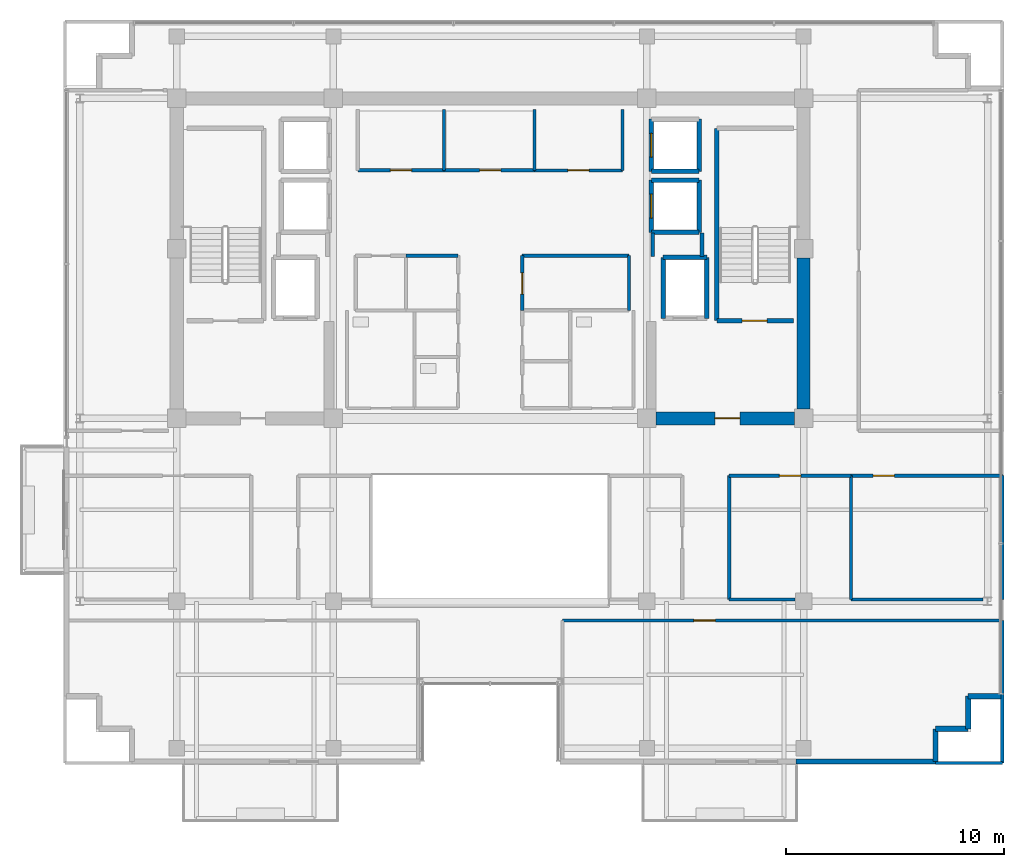
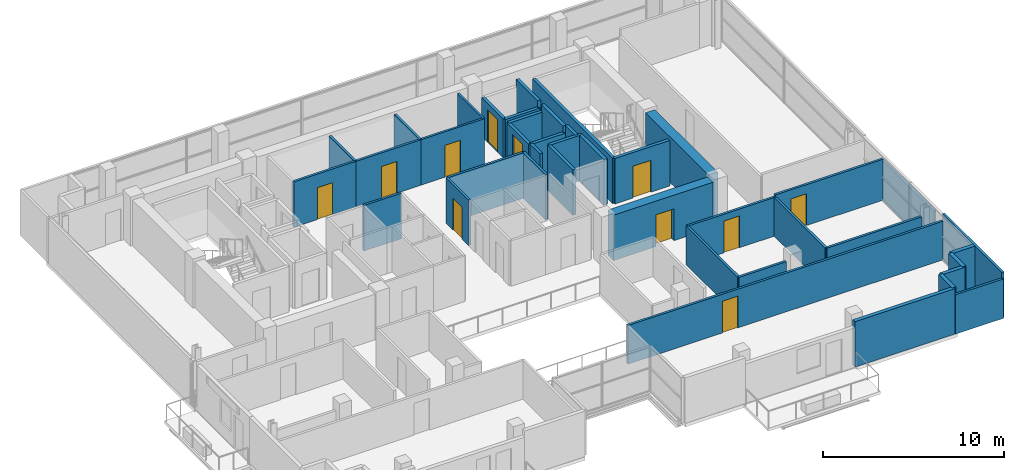
# One storey, part 17 of 21: 41 walls, 11 doors, 11 openings.
"""IFC4 building model written with IfcOpenShell, lengths in metres."""

from ifc_helpers import new_model, si_unit, direction, frame, frame_2d, origin, place, context, subcontext, project, spatial, rectangle, extrude, source, transform, mapped, material, layer, layer_set, type_object, element, fill, save


model = new_model("IFC4")

# Units and contexts
model_context = context("Model", 3, precision=1e-05, world=origin(), true_north=direction((0.0, 1.0)))
body_context = subcontext(model_context, "Body", "Model", "MODEL_VIEW")
ifc_project = project(units=[si_unit("LENGTHUNIT", "METRE"), si_unit("AREAUNIT", "SQUARE_METRE"), si_unit("VOLUMEUNIT", "CUBIC_METRE"), si_unit("PLANEANGLEUNIT", "RADIAN"), si_unit("MASSUNIT", "GRAM", prefix="KILO")], contexts=[model_context])

# Site, building, storey
site_placement = place(None, origin())
site = spatial("IfcSite", under=ifc_project, at=site_placement, CompositionType="ELEMENT")
building_placement = place(site_placement, origin())
building = spatial("IfcBuilding", under=site, at=building_placement, Name="Zarnakvel Exchange Tower", CompositionType="ELEMENT")
storey_placement = place(building_placement, frame((0.0, 0.0, 248.5)))
storey = spatial("IfcBuildingStorey", under=building, at=storey_placement, Name="L70", CompositionType="ELEMENT", Elevation=248.5)

# Wall
ifc_material_1 = material(Name="Concrete C50/60", Category="concrete")
ifc_layer_1 = layer(ifc_material_1, 0.60009765625)
ifc_layer_set_1 = layer_set([ifc_layer_1], Name="Concrete C50/60")
wall_type_1 = type_object("IfcWallType", Name="CW-C5", PredefinedType="SHEAR", material=ifc_layer_set_1)
wall_1_placement = place(storey_placement, frame((14.39990234375, -0.77490234375, 0.0), z_axis=(0.0, 0.0, 1.0), x_axis=(0.0, 1.0, 0.0)))
element("IfcWall", 1, at=wall_1_placement, inside=storey, type_object=wall_type_1, Name="L70 Rear Core Shear Wall E1 (CW-C5)", PredefinedType="SHEAR", context=body_context, shape_type="SweptSolid", body=[
    extrude(rectangle(XDim=6.949951171875, YDim=0.60009765625, at=frame_2d((3.47509765625, 0.0))), origin(), (0.0, 0.0, 1.0), 3.074951171875),
])

# Wall, opening, door
wall_2_placement = place(storey_placement, frame((13.97509765625, -1.199951171875, 0.0), z_axis=(0.0, 0.0, 1.0), x_axis=(-1.0, 0.0, 0.0)))
wall_2 = element("IfcWall", 2, at=wall_2_placement, inside=storey, type_object=wall_type_1, Name="L70 Rear Core Shear Wall SE (CW-C5)", PredefinedType="SHEAR", context=body_context, shape_type="SweptSolid", body=[
    extrude(rectangle(XDim=6.35009765625, YDim=0.60009765625, at=frame_2d((3.175048828125, 0.0))), origin(), (0.0, 0.0, 1.0), 3.074951171875),
])
opening_1_placement = place(wall_2_placement, frame((2.5, 0.0, 0.0)))
opening_1 = element("IfcOpeningElement", 3, at=opening_1_placement, cuts=wall_2, Name="Opening D-L70-04", PredefinedType="OPENING", context=body_context, shape_type="SweptSolid", body=[
    extrude(rectangle(XDim=1.14990234375, YDim=2.14990234375, at=frame_2d((0.574951171875, 1.074951171875))), frame((0.0, 0.31005859375, 0.0), z_axis=(0.0, -1.0, 0.0), x_axis=(1.0, 0.0, 0.0)), (0.0, 0.0, 1.0), 0.6201171875),
])
ifc_material_2 = material(Name="Painted Galvanised Steel S355", Category="steel")
door_type_1 = type_object("IfcDoorType", Name="DT-04", OperationType="NOTDEFINED", PredefinedType="DOOR", material=ifc_material_2)
shared_shape_1 = source(origin(), body_context, "Body", "SweptSolid", [
    extrude(rectangle(XDim=1.14990234375, YDim=2.14990234375, at=frame_2d((0.574951171875, 1.074951171875))), frame((0.0, 0.02490234375, 0.0), z_axis=(0.0, -1.0, 0.0), x_axis=(1.0, 0.0, 0.0)), (0.0, 0.0, 1.0), 0.050048828125),
])
door_1_placement = place(opening_1_placement, origin())
door_1 = element("IfcDoor", 4, at=door_1_placement, inside=storey, type_object=door_type_1, Name="L70 Firefighting Lobby East Door D-L70-04", OperationType="SINGLE_SWING_RIGHT", OverallHeight=2.14990234375, OverallWidth=1.14990234375, PredefinedType="DOOR", context=body_context, shape_type="MappedRepresentation", body=[
    mapped(shared_shape_1, transform((0.0, 0.0, 0.0), x_axis=(1.0, 0.0, 0.0), y_axis=(0.0, 1.0, 0.0), z_axis=(0.0, 0.0, 1.0), scale=1.0)),
])
fill(opening_1, door_1)

# Walls
ifc_material_3 = material(Name="Precast concrete C40/50", Category="concrete")
ifc_layer_2 = layer(ifc_material_3, 0.239990234375)
ifc_layer_set_2 = layer_set([ifc_layer_2], Name="Precast concrete C40/50")
wall_type_2 = type_object("IfcWallType", Name="EW-02", PredefinedType="SOLIDWALL", material=ifc_layer_set_2)
for number, where, z_axis, x_axis, name in (
    (5, (21.9599609375, -13.9599609375, 0.0), (0.0, 0.0, 1.0), (1.0, 0.0, 0.0), "L70 Exterior Precast Spandrel Wall EWC-L70-11 (EW-02)"),
    (6, (21.9599609375, -15.4599609375, 0.0), (0.0, 0.0, 1.0), (0.0, 1.0, 0.0), "L70 Exterior Precast Spandrel Wall EWC-L70-12 (EW-02)"),
    (7, (20.4599609375, -15.4599609375, 0.0), (0.0, 0.0, 1.0), (1.0, 0.0, 0.0), "L70 Exterior Precast Spandrel Wall EWC-L70-13 (EW-02)"),
    (8, (20.4599609375, -16.9599609375, 0.0), (0.0, 0.0, 1.0), (0.0, 1.0, 0.0), "L70 Exterior Precast Spandrel Wall EWC-L70-14 (EW-02)"),
):
    element("IfcWall", number, at=place(storey_placement, frame(where, z_axis=z_axis, x_axis=x_axis)), inside=storey, type_object=wall_type_2, Name=name, PredefinedType="SOLIDWALL", context=body_context, shape_type="SweptSolid", body=[
        extrude(rectangle(XDim=1.5, YDim=0.239990234375, at=frame_2d((0.75, 0.0))), origin(), (0.0, 0.0, 1.0), 3.074951171875),
    ])
wall_3_placement = place(storey_placement, frame((14.050048828125, -16.9599609375, 0.0), z_axis=(0.0, 0.0, 1.0), x_axis=(1.0, 0.0, 0.0)))
element("IfcWall", 9, at=wall_3_placement, inside=storey, type_object=wall_type_2, Name="L70 Exterior Precast Spandrel Wall EWC-L70-15 (EW-02)", PredefinedType="SOLIDWALL", context=body_context, shape_type="SweptSolid", body=[
    extrude(rectangle(XDim=6.409912109375, YDim=0.239990234375, at=frame_2d((3.205078125, 0.0))), origin(), (0.0, 0.0, 1.0), 3.074951171875),
])

# Wall, opening, door
ifc_material_4 = material(Name="Fire-Rated Gypsum Stud Partition", Category="gypsum")
ifc_layer_3 = layer(ifc_material_4, 0.14990234375)
ifc_layer_set_3 = layer_set([ifc_layer_3], Name="Fire-Rated Gypsum Stud Partition")
wall_type_3 = type_object("IfcWallType", Name="PT-01", PredefinedType="PARTITIONING", material=ifc_layer_set_3)
wall_4_placement = place(storey_placement, frame((-2.1201171875, 10.199951171875, 0.0), z_axis=(0.0, 0.0, 1.0), x_axis=(-1.0, 0.0, 0.0)))
wall_4 = element("IfcWall", 10, at=wall_4_placement, inside=storey, type_object=wall_type_3, Name="L70 Partition Wall PWALL-L70-011 (PT-01)", PredefinedType="PARTITIONING", context=body_context, shape_type="SweptSolid", body=[
    extrude(rectangle(XDim=3.9599609375, YDim=0.14990234375, at=frame_2d((1.97998046875, 0.0))), origin(), (0.0, 0.0, 1.0), 3.074951171875),
])
opening_2_placement = place(wall_4_placement, frame((1.489990234375, 0.0, 0.0)))
opening_2 = element("IfcOpeningElement", 11, at=opening_2_placement, cuts=wall_4, Name="Opening D-L70-05", PredefinedType="OPENING", context=body_context, shape_type="SweptSolid", body=[
    extrude(rectangle(XDim=0.97998046875, YDim=2.14990234375, at=frame_2d((0.489990234375, 1.074951171875))), frame((0.0, 0.0849609375, 0.0), z_axis=(0.0, -1.0, 0.0), x_axis=(1.0, 0.0, 0.0)), (0.0, 0.0, 1.0), 0.169921875),
])
ifc_material_5 = material(Name="Timber Acoustic Veneer", Category="wood")
door_type_2 = type_object("IfcDoorType", Name="DT-05", OperationType="NOTDEFINED", PredefinedType="DOOR", material=ifc_material_5)
shared_shape_2 = source(origin(), body_context, "Body", "SweptSolid", [
    extrude(rectangle(XDim=0.97998046875, YDim=2.14990234375, at=frame_2d((0.489990234375, 1.074951171875))), frame((0.0, 0.02490234375, 0.0), z_axis=(0.0, -1.0, 0.0), x_axis=(1.0, 0.0, 0.0)), (0.0, 0.0, 1.0), 0.050048828125),
])
door_2_placement = place(opening_2_placement, origin())
door_2 = element("IfcDoor", 12, at=door_2_placement, inside=storey, type_object=door_type_2, Name="L70 Clearing Records Office Door D-L70-05", OperationType="SINGLE_SWING_LEFT", OverallHeight=2.14990234375, OverallWidth=0.97998046875, PredefinedType="DOOR", context=body_context, shape_type="MappedRepresentation", body=[
    mapped(shared_shape_2, transform((0.0, 0.0, 0.0), x_axis=(1.0, 0.0, 0.0), y_axis=(0.0, 1.0, 0.0), z_axis=(0.0, 0.0, 1.0), scale=1.0)),
])
fill(opening_2, door_2)

# Wall
wall_5_placement = place(storey_placement, frame((-2.1201171875, 13.0, 0.0), z_axis=(0.0, 0.0, 1.0), x_axis=(0.0, -1.0, 0.0)))
element("IfcWall", 13, at=wall_5_placement, inside=storey, type_object=wall_type_3, Name="L70 Partition Wall PWALL-L70-013 (PT-01)", PredefinedType="PARTITIONING", context=body_context, shape_type="SweptSolid", body=[
    extrude(rectangle(XDim=2.800048828125, YDim=0.14990234375, at=frame_2d((1.39990234375, 0.0))), origin(), (0.0, 0.0, 1.0), 3.074951171875),
])

# Wall, opening, door
wall_6_placement = place(storey_placement, frame((2.0400390625, 10.199951171875, 0.0), z_axis=(0.0, 0.0, 1.0), x_axis=(-1.0, 0.0, 0.0)))
wall_6 = element("IfcWall", 14, at=wall_6_placement, inside=storey, type_object=wall_type_3, Name="L70 Partition Wall PWALL-L70-014 (PT-01)", PredefinedType="PARTITIONING", context=body_context, shape_type="SweptSolid", body=[
    extrude(rectangle(XDim=4.16015625, YDim=0.14990234375, at=frame_2d((2.080078125, 0.0))), origin(), (0.0, 0.0, 1.0), 3.074951171875),
])
opening_3_placement = place(wall_6_placement, frame((1.550048828125, 0.0, 0.0)))
opening_3 = element("IfcOpeningElement", 15, at=opening_3_placement, cuts=wall_6, Name="Opening D-L70-06", PredefinedType="OPENING", context=body_context, shape_type="SweptSolid", body=[
    extrude(rectangle(XDim=0.97998046875, YDim=2.14990234375, at=frame_2d((0.489990234375, 1.074951171875))), frame((0.0, 0.0849609375, 0.0), z_axis=(0.0, -1.0, 0.0), x_axis=(1.0, 0.0, 0.0)), (0.0, 0.0, 1.0), 0.169921875),
])
door_3_placement = place(opening_3_placement, origin())
door_3 = element("IfcDoor", 16, at=door_3_placement, inside=storey, type_object=door_type_2, Name="L70 Brokerage Filing Room Door D-L70-06", OperationType="SINGLE_SWING_RIGHT", OverallHeight=2.14990234375, OverallWidth=0.97998046875, PredefinedType="DOOR", context=body_context, shape_type="MappedRepresentation", body=[
    mapped(shared_shape_2, transform((0.0, 0.0, 0.0), x_axis=(1.0, 0.0, 0.0), y_axis=(0.0, 1.0, 0.0), z_axis=(0.0, 0.0, 1.0), scale=1.0)),
])
fill(opening_3, door_3)

# Walls
wall_7_placement = place(storey_placement, frame((2.0400390625, 13.0, 0.0), z_axis=(0.0, 0.0, 1.0), x_axis=(0.0, -1.0, 0.0)))
element("IfcWall", 17, at=wall_7_placement, inside=storey, type_object=wall_type_3, Name="L70 Partition Wall PWALL-L70-015 (PT-01)", PredefinedType="PARTITIONING", context=body_context, shape_type="SweptSolid", body=[
    extrude(rectangle(XDim=2.800048828125, YDim=0.14990234375, at=frame_2d((1.39990234375, 0.0))), origin(), (0.0, 0.0, 1.0), 3.074951171875),
])
wall_8_placement = place(storey_placement, frame((-3.8701171875, 6.280029296875, 0.0), z_axis=(0.0, 0.0, 1.0), x_axis=(1.0, 0.0, 0.0)))
element("IfcWall", 18, at=wall_8_placement, inside=storey, type_object=wall_type_3, Name="L70 Partition Wall PWALL-L70-023 (PT-01)", PredefinedType="PARTITIONING", context=body_context, shape_type="SweptSolid", body=[
    extrude(rectangle(XDim=2.400146484375, YDim=0.14990234375, at=frame_2d((1.2001953125, 0.0))), origin(), (0.0, 0.0, 1.0), 3.074951171875),
])
wall_9_placement = place(storey_placement, frame((1.469970703125, 6.280029296875, 0.0), z_axis=(0.0, 0.0, 1.0), x_axis=(1.0, 0.0, 0.0)))
element("IfcWall", 19, at=wall_9_placement, inside=storey, type_object=wall_type_3, Name="L70 Partition Wall PWALL-L70-026 (PT-01)", PredefinedType="PARTITIONING", context=body_context, shape_type="SweptSolid", body=[
    extrude(rectangle(XDim=4.909912109375, YDim=0.14990234375, at=frame_2d((2.455078125, 0.0))), origin(), (0.0, 0.0, 1.0), 3.074951171875),
])

# Wall, opening, door
wall_10_placement = place(storey_placement, frame((1.469970703125, 3.760009765625, 0.0), z_axis=(0.0, 0.0, 1.0), x_axis=(0.0, 1.0, 0.0)))
wall_10 = element("IfcWall", 20, at=wall_10_placement, inside=storey, type_object=wall_type_3, Name="L70 Partition Wall PWALL-L70-027 (PT-01)", PredefinedType="PARTITIONING", context=body_context, shape_type="SweptSolid", body=[
    extrude(rectangle(XDim=2.52001953125, YDim=0.14990234375, at=frame_2d((1.260009765625, 0.0))), origin(), (0.0, 0.0, 1.0), 3.074951171875),
])
opening_4_placement = place(wall_10_placement, frame((0.75, 0.0, 0.0)))
opening_4 = element("IfcOpeningElement", 21, at=opening_4_placement, cuts=wall_10, Name="Opening D-L70-10", PredefinedType="OPENING", context=body_context, shape_type="SweptSolid", body=[
    extrude(rectangle(XDim=0.97998046875, YDim=2.14990234375, at=frame_2d((0.489990234375, 1.074951171875))), frame((0.0, 0.0849609375, 0.0), z_axis=(0.0, -1.0, 0.0), x_axis=(1.0, 0.0, 0.0)), (0.0, 0.0, 1.0), 0.169921875),
])
door_4_placement = place(opening_4_placement, origin())
door_4 = element("IfcDoor", 22, at=door_4_placement, inside=storey, type_object=door_type_2, Name="L70 Telemetry Server Suite Door D-L70-10", OperationType="SINGLE_SWING_RIGHT", OverallHeight=2.14990234375, OverallWidth=0.97998046875, PredefinedType="DOOR", context=body_context, shape_type="MappedRepresentation", body=[
    mapped(shared_shape_2, transform((0.0, 0.0, 0.0), x_axis=(1.0, 0.0, 0.0), y_axis=(0.0, 1.0, 0.0), z_axis=(0.0, 0.0, 1.0), scale=1.0)),
])
fill(opening_4, door_4)

# Walls
wall_11_placement = place(storey_placement, frame((6.3798828125, 6.280029296875, 0.0), z_axis=(0.0, 0.0, 1.0), x_axis=(0.0, -1.0, 0.0)))
element("IfcWall", 23, at=wall_11_placement, inside=storey, type_object=wall_type_3, Name="L70 Partition Wall PWALL-L70-028 (PT-01)", PredefinedType="PARTITIONING", context=body_context, shape_type="SweptSolid", body=[
    extrude(rectangle(XDim=2.52001953125, YDim=0.14990234375, at=frame_2d((1.260009765625, 0.0))), origin(), (0.0, 0.0, 1.0), 3.074951171875),
])
wall_12_placement = place(storey_placement, frame((14.0048828125, -9.52001953125, 0.0), z_axis=(0.0, 0.0, 1.0), x_axis=(-1.0, 0.0, 0.0)))
element("IfcWall", 24, at=wall_12_placement, inside=storey, type_object=wall_type_3, Name="L70 Partition Wall PWALL-L70-052 (PT-01)", PredefinedType="PARTITIONING", context=body_context, shape_type="SweptSolid", body=[
    extrude(rectangle(XDim=3.02490234375, YDim=0.14990234375, at=frame_2d((1.512451171875, 0.0))), origin(), (0.0, 0.0, 1.0), 2.614990234375),
])

# Wall, opening, door
wall_13_placement = place(storey_placement, frame((10.97998046875, -3.830078125, 0.0), z_axis=(0.0, 0.0, 1.0), x_axis=(1.0, 0.0, 0.0)))
wall_13 = element("IfcWall", 25, at=wall_13_placement, inside=storey, type_object=wall_type_3, Name="L70 Partition Wall PWALL-L70-053 (PT-01)", PredefinedType="PARTITIONING", context=body_context, shape_type="SweptSolid", body=[
    extrude(rectangle(XDim=5.595703125, YDim=0.14990234375, at=frame_2d((2.7978515625, 0.0))), origin(), (0.0, 0.0, 1.0), 2.614990234375),
])
opening_5_placement = place(wall_13_placement, frame((2.30810546875, 0.0, 0.0)))
opening_5 = element("IfcOpeningElement", 26, at=opening_5_placement, cuts=wall_13, Name="Opening D-L70-19", PredefinedType="OPENING", context=body_context, shape_type="SweptSolid", body=[
    extrude(rectangle(XDim=0.97998046875, YDim=2.14990234375, at=frame_2d((0.489990234375, 1.074951171875))), frame((0.0, 0.0849609375, 0.0), z_axis=(0.0, -1.0, 0.0), x_axis=(1.0, 0.0, 0.0)), (0.0, 0.0, 1.0), 0.169921875),
])
door_5_placement = place(opening_5_placement, origin())
door_5 = element("IfcDoor", 27, at=door_5_placement, inside=storey, type_object=door_type_2, Name="L70 Meeting Room Door D-L70-19", OperationType="SINGLE_SWING_LEFT", OverallHeight=2.14990234375, OverallWidth=0.97998046875, PredefinedType="DOOR", context=body_context, shape_type="MappedRepresentation", body=[
    mapped(shared_shape_2, transform((0.0, 0.0, 0.0), x_axis=(1.0, 0.0, 0.0), y_axis=(0.0, 1.0, 0.0), z_axis=(0.0, 0.0, 1.0), scale=1.0)),
])
fill(opening_5, door_5)

# Walls
for number, where, z_axis, x_axis, name in (
    (28, (10.97998046875, -9.52001953125, 0.0), (0.0, 0.0, 1.0), (0.0, 1.0, 0.0), "L70 Partition Wall PWALL-L70-054 (PT-01)"),
    (29, (16.57568359375, -3.830078125, 0.0), (0.0, 0.0, 1.0), (0.0, -1.0, 0.0), "L70 Partition Wall PWALL-L70-055 (PT-01)"),
):
    element("IfcWall", number, at=place(storey_placement, frame(where, z_axis=z_axis, x_axis=x_axis)), inside=storey, type_object=wall_type_3, Name=name, PredefinedType="PARTITIONING", context=body_context, shape_type="SweptSolid", body=[
        extrude(rectangle(XDim=5.68994140625, YDim=0.14990234375, at=frame_2d((2.844970703125, 0.0))), origin(), (0.0, 0.0, 1.0), 2.614990234375),
    ])
wall_14_placement = place(storey_placement, frame((22.642578125, -9.52001953125, 0.0), z_axis=(0.0, 0.0, 1.0), x_axis=(-1.0, 0.0, 0.0)))
element("IfcWall", 30, at=wall_14_placement, inside=storey, type_object=wall_type_3, Name="L70 Partition Wall PWALL-L70-056 (PT-01)", PredefinedType="PARTITIONING", context=body_context, shape_type="SweptSolid", body=[
    extrude(rectangle(XDim=6.06689453125, YDim=0.14990234375, at=frame_2d((3.033447265625, 0.0))), origin(), (0.0, 0.0, 1.0), 2.614990234375),
])

# Wall, opening, door
wall_15_placement = place(storey_placement, frame((16.57568359375, -3.830078125, 0.0), z_axis=(0.0, 0.0, 1.0), x_axis=(1.0, 0.0, 0.0)))
wall_15 = element("IfcWall", 31, at=wall_15_placement, inside=storey, type_object=wall_type_3, Name="L70 Partition Wall PWALL-L70-057 (PT-01)", PredefinedType="PARTITIONING", context=body_context, shape_type="SweptSolid", body=[
    extrude(rectangle(XDim=6.954345703125, YDim=0.14990234375, at=frame_2d((3.47705078125, 0.0))), origin(), (0.0, 0.0, 1.0), 2.764892578125),
])
opening_6_placement = place(wall_15_placement, frame((1.012451171875, 0.0, 0.0)))
opening_6 = element("IfcOpeningElement", 32, at=opening_6_placement, cuts=wall_15, Name="Opening D-L70-20", PredefinedType="OPENING", context=body_context, shape_type="SweptSolid", body=[
    extrude(rectangle(XDim=0.97998046875, YDim=2.14990234375, at=frame_2d((0.489990234375, 1.074951171875))), frame((0.0, 0.0849609375, 0.0), z_axis=(0.0, -1.0, 0.0), x_axis=(1.0, 0.0, 0.0)), (0.0, 0.0, 1.0), 0.169921875),
])
door_6_placement = place(opening_6_placement, origin())
door_6 = element("IfcDoor", 33, at=door_6_placement, inside=storey, type_object=door_type_2, Name="L70 Executive Office Door D-L70-20", OperationType="SINGLE_SWING_RIGHT", OverallHeight=2.14990234375, OverallWidth=0.97998046875, PredefinedType="DOOR", context=body_context, shape_type="MappedRepresentation", body=[
    mapped(shared_shape_2, transform((0.0, 0.0, 0.0), x_axis=(1.0, 0.0, 0.0), y_axis=(0.0, 1.0, 0.0), z_axis=(0.0, 0.0, 1.0), scale=1.0)),
])
fill(opening_6, door_6)

# Walls
wall_16_placement = place(storey_placement, frame((23.530029296875, -3.830078125, 0.0), z_axis=(0.0, 0.0, 1.0), x_axis=(0.0, -1.0, 0.0)))
element("IfcWall", 34, at=wall_16_placement, inside=storey, type_object=wall_type_3, Name="L70 Partition Wall PWALL-L70-058 (PT-01)", PredefinedType="PARTITIONING", context=body_context, shape_type="SweptSolid", body=[
    extrude(rectangle(XDim=5.68994140625, YDim=0.14990234375, at=frame_2d((2.844970703125, 0.0))), origin(), (0.0, 0.0, 1.0), 2.6650390625),
])
wall_17_placement = place(storey_placement, frame((23.530029296875, -17.030029296875, 0.0), z_axis=(0.0, 0.0, 1.0), x_axis=(-1.0, 0.0, 0.0)))
element("IfcWall", 35, at=wall_17_placement, inside=storey, type_object=wall_type_3, Name="L70 Partition Wall PWALL-L70-059 (PT-01)", PredefinedType="PARTITIONING", context=body_context, shape_type="SweptSolid", body=[
    extrude(rectangle(XDim=3.070068359375, YDim=0.14990234375, at=frame_2d((1.53515625, 0.0))), origin(), (0.0, 0.0, 1.0), 2.6650390625),
])

# Wall, opening, door
wall_18_placement = place(storey_placement, frame((3.320068359375, -10.47998046875, 0.0), z_axis=(0.0, 0.0, 1.0), x_axis=(1.0, 0.0, 0.0)))
wall_18 = element("IfcWall", 36, at=wall_18_placement, inside=storey, type_object=wall_type_3, Name="L70 Partition Wall PWALL-L70-060 (PT-01)", PredefinedType="PARTITIONING", context=body_context, shape_type="SweptSolid", body=[
    extrude(rectangle(XDim=20.2099609375, YDim=0.14990234375, at=frame_2d((10.10498046875, 0.0))), origin(), (0.0, 0.0, 1.0), 2.614990234375),
])
opening_7_placement = place(wall_18_placement, frame((6.0400390625, 0.0, 0.0)))
opening_7 = element("IfcOpeningElement", 37, at=opening_7_placement, cuts=wall_18, Name="Opening D-L70-21", PredefinedType="OPENING", context=body_context, shape_type="SweptSolid", body=[
    extrude(rectangle(XDim=0.97998046875, YDim=2.14990234375, at=frame_2d((0.489990234375, 1.074951171875))), frame((0.0, 0.0849609375, 0.0), z_axis=(0.0, -1.0, 0.0), x_axis=(1.0, 0.0, 0.0)), (0.0, 0.0, 1.0), 0.169921875),
])
door_7_placement = place(opening_7_placement, origin())
door_7 = element("IfcDoor", 38, at=door_7_placement, inside=storey, type_object=door_type_2, Name="L70 Asset Management Office Door D-L70-21", OperationType="SINGLE_SWING_LEFT", OverallHeight=2.14990234375, OverallWidth=0.97998046875, PredefinedType="DOOR", context=body_context, shape_type="MappedRepresentation", body=[
    mapped(shared_shape_2, transform((0.0, 0.0, 0.0), x_axis=(1.0, 0.0, 0.0), y_axis=(0.0, 1.0, 0.0), z_axis=(0.0, 0.0, 1.0), scale=1.0)),
])
fill(opening_7, door_7)

# Walls
wall_19_placement = place(storey_placement, frame((23.530029296875, -10.47998046875, 0.0), z_axis=(0.0, 0.0, 1.0), x_axis=(0.0, -1.0, 0.0)))
element("IfcWall", 39, at=wall_19_placement, inside=storey, type_object=wall_type_3, Name="L70 Partition Wall PWALL-L70-062 (PT-01)", PredefinedType="PARTITIONING", context=body_context, shape_type="SweptSolid", body=[
    extrude(rectangle(XDim=6.550048828125, YDim=0.14990234375, at=frame_2d((3.27490234375, 0.0))), origin(), (0.0, 0.0, 1.0), 3.074951171875),
])
ifc_layer_4 = layer(ifc_material_4, 0.179931640625)
ifc_layer_set_4 = layer_set([ifc_layer_4], Name="Fire-Rated Gypsum Stud Partition")
wall_type_4 = type_object("IfcWallType", Name="PT-02", PredefinedType="PARTITIONING", material=ifc_layer_set_4)
wall_20_placement = place(storey_placement, frame((7.469970703125, 6.239990234375, 0.0), z_axis=(0.0, 0.0, 1.0), x_axis=(0.0, 1.0, 0.0)))
element("IfcWall", 40, at=wall_20_placement, inside=storey, type_object=wall_type_4, Name="L70 Partition Wall PWALL-L70-009 (PT-02)", PredefinedType="PARTITIONING", context=body_context, shape_type="SweptSolid", body=[
    extrude(rectangle(XDim=1.090087890625, YDim=0.179931640625, at=frame_2d((0.544921875, 0.0))), origin(), (0.0, 0.0, 1.0), 2.614990234375),
])
wall_21_placement = place(storey_placement, frame((9.72998046875, 7.330078125, 0.0), z_axis=(0.0, 0.0, 1.0), x_axis=(0.0, -1.0, 0.0)))
element("IfcWall", 41, at=wall_21_placement, inside=storey, type_object=wall_type_4, Name="L70 Partition Wall PWALL-L70-010 (PT-02)", PredefinedType="PARTITIONING", context=body_context, shape_type="SweptSolid", body=[
    extrude(rectangle(XDim=1.090087890625, YDim=0.179931640625, at=frame_2d((0.544921875, 0.0))), origin(), (0.0, 0.0, 1.0), 3.074951171875),
])

# Wall, opening, door
ifc_material_6 = material(Name="Moisture-Resistant Tile-Faced Partition", Category="gypsum")
ifc_layer_5 = layer(ifc_material_6, 0.135009765625)
ifc_layer_set_5 = layer_set([ifc_layer_5], Name="Moisture-Resistant Tile-Faced Partition")
wall_type_5 = type_object("IfcWallType", Name="PT-03", PredefinedType="PARTITIONING", material=ifc_layer_set_5)
wall_22_placement = place(storey_placement, frame((6.080078125, 10.199951171875, 0.0), z_axis=(0.0, 0.0, 1.0), x_axis=(-1.0, 0.0, 0.0)))
wall_22 = element("IfcWall", 42, at=wall_22_placement, inside=storey, type_object=wall_type_5, Name="L70 Partition Wall PWALL-L70-016 (PT-03)", PredefinedType="PARTITIONING", context=body_context, shape_type="SweptSolid", body=[
    extrude(rectangle(XDim=4.0400390625, YDim=0.135009765625, at=frame_2d((2.02001953125, 0.0))), origin(), (0.0, 0.0, 1.0), 3.074951171875),
])
opening_8_placement = place(wall_22_placement, frame((1.530029296875, 0.0, 0.0)))
opening_8 = element("IfcOpeningElement", 43, at=opening_8_placement, cuts=wall_22, Name="Opening D-L70-07", PredefinedType="OPENING", context=body_context, shape_type="SweptSolid", body=[
    extrude(rectangle(XDim=0.97998046875, YDim=2.14990234375, at=frame_2d((0.489990234375, 1.074951171875))), frame((0.0, 0.077392578125, 0.0), z_axis=(0.0, -1.0, 0.0), x_axis=(1.0, 0.0, 0.0)), (0.0, 0.0, 1.0), 0.155029296875),
])
door_8_placement = place(opening_8_placement, origin())
door_8 = element("IfcDoor", 44, at=door_8_placement, inside=storey, type_object=door_type_2, Name="L70 Executive Tea Pantry Door D-L70-07", OperationType="SINGLE_SWING_LEFT", OverallHeight=2.14990234375, OverallWidth=0.97998046875, PredefinedType="DOOR", context=body_context, shape_type="MappedRepresentation", body=[
    mapped(shared_shape_2, transform((0.0, 0.0, 0.0), x_axis=(1.0, 0.0, 0.0), y_axis=(0.0, 1.0, 0.0), z_axis=(0.0, 0.0, 1.0), scale=1.0)),
])
fill(opening_8, door_8)

# Walls
wall_23_placement = place(storey_placement, frame((6.080078125, 13.0, 0.0), z_axis=(0.0, 0.0, 1.0), x_axis=(0.0, -1.0, 0.0)))
element("IfcWall", 45, at=wall_23_placement, inside=storey, type_object=wall_type_5, Name="L70 Partition Wall PWALL-L70-017 (PT-03)", PredefinedType="PARTITIONING", context=body_context, shape_type="SweptSolid", body=[
    extrude(rectangle(XDim=2.800048828125, YDim=0.135009765625, at=frame_2d((1.39990234375, 0.0))), origin(), (0.0, 0.0, 1.0), 3.074951171875),
])
ifc_material_7 = material(Name="Concrete C40/50", Category="concrete")
ifc_layer_6 = layer(ifc_material_7, 0.199951171875)
ifc_layer_set_6 = layer_set([ifc_layer_6], Name="Concrete C40/50")
wall_type_6 = type_object("IfcWallType", Name="SW-01", PredefinedType="SOLIDWALL", material=ifc_layer_set_6)
wall_24_placement = place(storey_placement, frame((7.949951171875, 6.199951171875, 0.0), z_axis=(0.0, 0.0, 1.0), x_axis=(1.0, 0.0, 0.0)))
element("IfcWall", 46, at=wall_24_placement, inside=storey, type_object=wall_type_6, Name="L70 FL-02 Hoistway Wall North", PredefinedType="SOLIDWALL", context=body_context, shape_type="SweptSolid", body=[
    extrude(rectangle(XDim=2.0, YDim=0.199951171875, at=frame_2d((1.0, 0.0))), origin(), (0.0, 0.0, 1.0), 3.074951171875),
])
for number, where, z_axis, x_axis, name in (
    (47, (7.949951171875, 3.39990234375, 0.0), (0.0, 0.0, 1.0), (0.0, 1.0, 0.0), "L70 FL-02 Hoistway Wall West"),
    (48, (9.949951171875, 6.199951171875, 0.0), (0.0, 0.0, 1.0), (0.0, -1.0, 0.0), "L70 FL-02 Hoistway Wall East"),
):
    element("IfcWall", number, at=place(storey_placement, frame(where, z_axis=z_axis, x_axis=x_axis)), inside=storey, type_object=wall_type_6, Name=name, PredefinedType="SOLIDWALL", context=body_context, shape_type="SweptSolid", body=[
        extrude(rectangle(XDim=2.800048828125, YDim=0.199951171875, at=frame_2d((1.39990234375, 0.0))), origin(), (0.0, 0.0, 1.0), 3.074951171875),
    ])
for number, where, z_axis, x_axis, name in (
    (49, (9.60009765625, 7.35009765625, 0.0), (0.0, 0.0, 1.0), (-1.0, 0.0, 0.0), "L70 PL-11 Hoistway Wall South"),
    (50, (7.39990234375, 9.75, 0.0), (0.0, 0.0, 1.0), (1.0, 0.0, 0.0), "L70 PL-11 Hoistway Wall North"),
):
    element("IfcWall", number, at=place(storey_placement, frame(where, z_axis=z_axis, x_axis=x_axis)), inside=storey, type_object=wall_type_6, Name=name, PredefinedType="SOLIDWALL", context=body_context, shape_type="SweptSolid", body=[
        extrude(rectangle(XDim=2.2001953125, YDim=0.199951171875, at=frame_2d((1.10009765625, 0.0))), origin(), (0.0, 0.0, 1.0), 2.614990234375),
    ])

# Wall, opening, door
wall_25_placement = place(storey_placement, frame((7.39990234375, 7.35009765625, 0.0), z_axis=(0.0, 0.0, 1.0), x_axis=(0.0, 1.0, 0.0)))
wall_25 = element("IfcWall", 51, at=wall_25_placement, inside=storey, type_object=wall_type_6, Name="L70 PL-11 Hoistway Wall West", PredefinedType="SOLIDWALL", context=body_context, shape_type="SweptSolid", body=[
    extrude(rectangle(XDim=2.39990234375, YDim=0.199951171875, at=frame_2d((1.199951171875, 0.0))), origin(), (0.0, 0.0, 1.0), 2.614990234375),
])
opening_9_placement = place(wall_25_placement, frame((0.64990234375, 0.0, 0.0)))
opening_9 = element("IfcOpeningElement", 52, at=opening_9_placement, cuts=wall_25, Name="Opening LD-PL-11-L70", PredefinedType="OPENING", context=body_context, shape_type="SweptSolid", body=[
    extrude(rectangle(XDim=1.10009765625, YDim=2.199951171875, at=frame_2d((0.550048828125, 1.10009765625))), frame((0.0, 0.10986328125, 0.0), z_axis=(0.0, -1.0, 0.0), x_axis=(1.0, 0.0, 0.0)), (0.0, 0.0, 1.0), 0.219970703125),
])
ifc_material_8 = material(Name="Architectural Bronze Anodised Aluminium", Category="aluminium")
door_type_3 = type_object("IfcDoorType", Name="LDT-02", OperationType="NOTDEFINED", PredefinedType="DOOR", material=ifc_material_8)
shared_shape_3 = source(origin(), body_context, "Body", "SweptSolid", [
    extrude(rectangle(XDim=1.10009765625, YDim=2.199951171875, at=frame_2d((0.550048828125, 1.10009765625))), frame((0.0, 0.02490234375, 0.0), z_axis=(0.0, -1.0, 0.0), x_axis=(1.0, 0.0, 0.0)), (0.0, 0.0, 1.0), 0.050048828125),
])
door_9_placement = place(opening_9_placement, origin())
door_9 = element("IfcDoor", 53, at=door_9_placement, inside=storey, type_object=door_type_3, Name="L70 PL-11 Lift Landing Door LD-PL-11-L70", OperationType="DOUBLE_DOOR_SLIDING", OverallHeight=2.199951171875, OverallWidth=1.10009765625, PredefinedType="DOOR", context=body_context, shape_type="MappedRepresentation", body=[
    mapped(shared_shape_3, transform((0.0, 0.0, 0.0), x_axis=(1.0, 0.0, 0.0), y_axis=(0.0, 1.0, 0.0), z_axis=(0.0, 0.0, 1.0), scale=1.0)),
])
fill(opening_9, door_9)

# Walls
wall_26_placement = place(storey_placement, frame((9.60009765625, 9.75, 0.0), z_axis=(0.0, 0.0, 1.0), x_axis=(0.0, -1.0, 0.0)))
element("IfcWall", 54, at=wall_26_placement, inside=storey, type_object=wall_type_6, Name="L70 PL-11 Hoistway Wall East", PredefinedType="SOLIDWALL", context=body_context, shape_type="SweptSolid", body=[
    extrude(rectangle(XDim=2.39990234375, YDim=0.199951171875, at=frame_2d((1.199951171875, 0.0))), origin(), (0.0, 0.0, 1.0), 3.074951171875),
])
wall_27_placement = place(storey_placement, frame((9.60009765625, 10.14990234375, 0.0), z_axis=(0.0, 0.0, 1.0), x_axis=(-1.0, 0.0, 0.0)))
element("IfcWall", 55, at=wall_27_placement, inside=storey, type_object=wall_type_6, Name="L70 PL-12 Hoistway Wall South", PredefinedType="SOLIDWALL", context=body_context, shape_type="SweptSolid", body=[
    extrude(rectangle(XDim=2.2001953125, YDim=0.199951171875, at=frame_2d((1.10009765625, 0.0))), origin(), (0.0, 0.0, 1.0), 2.614990234375),
])

# Wall, opening, door
wall_28_placement = place(storey_placement, frame((7.39990234375, 10.14990234375, 0.0), z_axis=(0.0, 0.0, 1.0), x_axis=(0.0, 1.0, 0.0)))
wall_28 = element("IfcWall", 56, at=wall_28_placement, inside=storey, type_object=wall_type_6, Name="L70 PL-12 Hoistway Wall West", PredefinedType="SOLIDWALL", context=body_context, shape_type="SweptSolid", body=[
    extrude(rectangle(XDim=2.400146484375, YDim=0.199951171875, at=frame_2d((1.2001953125, 0.0))), origin(), (0.0, 0.0, 1.0), 2.614990234375),
])
opening_10_placement = place(wall_28_placement, frame((0.64990234375, 0.0, 0.0)))
opening_10 = element("IfcOpeningElement", 57, at=opening_10_placement, cuts=wall_28, Name="Opening LD-PL-12-L70", PredefinedType="OPENING", context=body_context, shape_type="SweptSolid", body=[
    extrude(rectangle(XDim=1.10009765625, YDim=2.199951171875, at=frame_2d((0.550048828125, 1.10009765625))), frame((0.0, 0.10986328125, 0.0), z_axis=(0.0, -1.0, 0.0), x_axis=(1.0, 0.0, 0.0)), (0.0, 0.0, 1.0), 0.219970703125),
])
door_10_placement = place(opening_10_placement, origin())
door_10 = element("IfcDoor", 58, at=door_10_placement, inside=storey, type_object=door_type_3, Name="L70 PL-12 Lift Landing Door LD-PL-12-L70", OperationType="DOUBLE_DOOR_SLIDING", OverallHeight=2.199951171875, OverallWidth=1.10009765625, PredefinedType="DOOR", context=body_context, shape_type="MappedRepresentation", body=[
    mapped(shared_shape_3, transform((0.0, 0.0, 0.0), x_axis=(1.0, 0.0, 0.0), y_axis=(0.0, 1.0, 0.0), z_axis=(0.0, 0.0, 1.0), scale=1.0)),
])
fill(opening_10, door_10)

# Wall
wall_29_placement = place(storey_placement, frame((9.60009765625, 12.550048828125, 0.0), z_axis=(0.0, 0.0, 1.0), x_axis=(0.0, -1.0, 0.0)))
element("IfcWall", 59, at=wall_29_placement, inside=storey, type_object=wall_type_6, Name="L70 PL-12 Hoistway Wall East", PredefinedType="SOLIDWALL", context=body_context, shape_type="SweptSolid", body=[
    extrude(rectangle(XDim=2.400146484375, YDim=0.199951171875, at=frame_2d((1.2001953125, 0.0))), origin(), (0.0, 0.0, 1.0), 3.074951171875),
])

# Wall, opening, door
ifc_layer_7 = layer(ifc_material_7, 0.199951171875)
ifc_layer_set_7 = layer_set([ifc_layer_7], Name="Concrete C40/50")
wall_type_7 = type_object("IfcWallType", Name="SW-02", PredefinedType="SOLIDWALL", material=ifc_layer_set_7)
wall_30_placement = place(storey_placement, frame((13.929931640625, 3.2900390625, 0.0), z_axis=(0.0, 0.0, 1.0), x_axis=(-1.0, 0.0, 0.0)))
wall_30 = element("IfcWall", 60, at=wall_30_placement, inside=storey, type_object=wall_type_7, Name="L70 Stairwell Core Wall PWALL-L70-004 (SW-02)", PredefinedType="SOLIDWALL", context=body_context, shape_type="SweptSolid", body=[
    extrude(rectangle(XDim=3.52001953125, YDim=0.199951171875, at=frame_2d((1.760009765625, 0.0))), origin(), (0.0, 0.0, 1.0), 3.074951171875),
])
opening_11_placement = place(wall_30_placement, frame((1.205078125, 0.0, 0.0)))
opening_11 = element("IfcOpeningElement", 61, at=opening_11_placement, cuts=wall_30, Name="Opening D-L70-02", PredefinedType="OPENING", context=body_context, shape_type="SweptSolid", body=[
    extrude(rectangle(XDim=1.14990234375, YDim=2.14990234375, at=frame_2d((0.574951171875, 1.074951171875))), frame((0.0, 0.10986328125, 0.0), z_axis=(0.0, -1.0, 0.0), x_axis=(1.0, 0.0, 0.0)), (0.0, 0.0, 1.0), 0.219970703125),
])
door_11_placement = place(opening_11_placement, origin())
door_11 = element("IfcDoor", 62, at=door_11_placement, inside=storey, type_object=door_type_1, Name="L70 Stairwell ST-02 Door D-L70-02", OperationType="SINGLE_SWING_RIGHT", OverallHeight=2.14990234375, OverallWidth=1.14990234375, PredefinedType="DOOR", context=body_context, shape_type="MappedRepresentation", body=[
    mapped(shared_shape_1, transform((0.0, 0.0, 0.0), x_axis=(1.0, 0.0, 0.0), y_axis=(0.0, 1.0, 0.0), z_axis=(0.0, 0.0, 1.0), scale=1.0)),
])
fill(opening_11, door_11)

# Wall
wall_31_placement = place(storey_placement, frame((10.409912109375, 3.2900390625, 0.0), z_axis=(0.0, 0.0, 1.0), x_axis=(0.0, 1.0, 0.0)))
element("IfcWall", 63, at=wall_31_placement, inside=storey, type_object=wall_type_7, Name="L70 Stairwell Core Wall PWALL-L70-006 (SW-02)", PredefinedType="SOLIDWALL", context=body_context, shape_type="SweptSolid", body=[
    extrude(rectangle(XDim=8.83984375, YDim=0.199951171875, at=frame_2d((4.419921875, 0.0))), origin(), (0.0, 0.0, 1.0), 3.074951171875),
])

save(model, "model.ifc")
